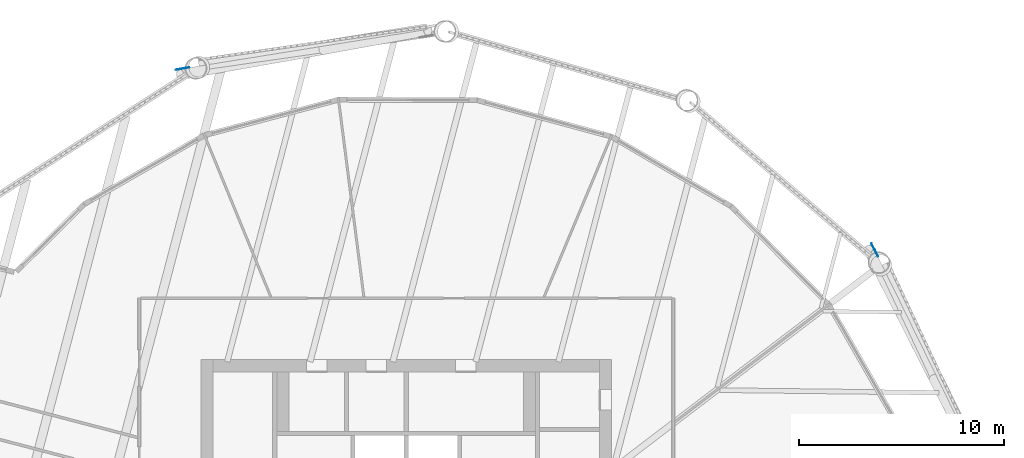
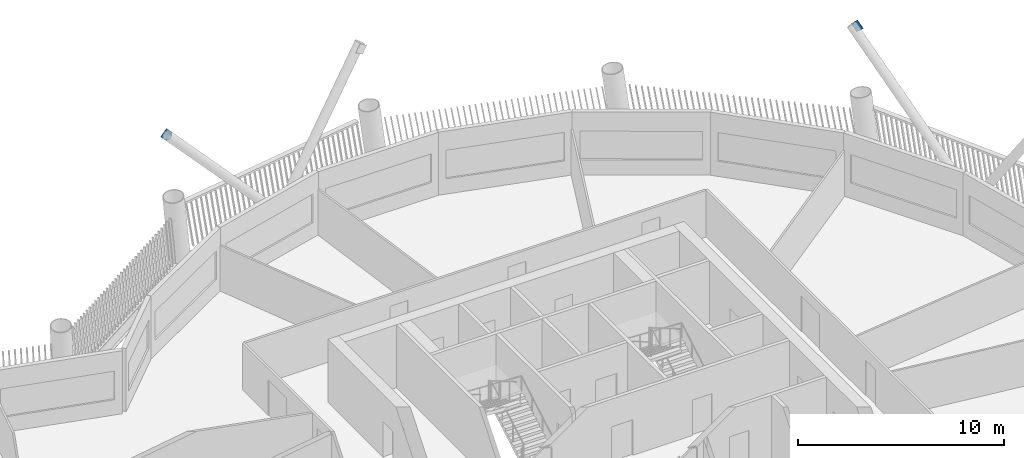
# One storey, part 9 of 21: 2 discrete accessories.
"""IFC4 building model written with IfcOpenShell, lengths in metres."""

from ifc_helpers import new_model, si_unit, direction, frame, origin, origin_2d, place, context, subcontext, project, spatial, rectangle, extrude, material, material_profile, profile_set, type_object, element, save


model = new_model("IFC4")

# Units and contexts
model_context = context("Model", 3, precision=1e-05, world=origin(), true_north=direction((0.0, 1.0)))
body_context = subcontext(model_context, "Body", "Model", "MODEL_VIEW")
ifc_project = project(units=[si_unit("LENGTHUNIT", "METRE"), si_unit("AREAUNIT", "SQUARE_METRE"), si_unit("VOLUMEUNIT", "CUBIC_METRE"), si_unit("PLANEANGLEUNIT", "RADIAN"), si_unit("MASSUNIT", "GRAM", prefix="KILO")], contexts=[model_context])

# Site, building, storey
site_placement = place(None, origin())
site = spatial("IfcSite", under=ifc_project, at=site_placement, CompositionType="ELEMENT")
building_placement = place(site_placement, origin())
building = spatial("IfcBuilding", under=site, at=building_placement, Name="Tarsis Ring Headquarters", CompositionType="ELEMENT")
storey_placement = place(building_placement, frame((0.0, 0.0, 223.800048828125)))
storey = spatial("IfcBuildingStorey", under=building, at=storey_placement, Name="L52", CompositionType="ELEMENT", Elevation=223.800048828125)

# Discrete accessories
ifc_material = material(Name="Structural steel S355", Category="steel")
ifc_material_profile = material_profile(ifc_material, rectangle(XDim=0.02490234375, YDim=0.5, at=origin_2d()), Name="PL 25x500")
ifc_profile_set = profile_set([ifc_material_profile], Name="Structural steel S355")
discrete_accessory_type = type_object("IfcDiscreteAccessoryType", Name="Gusset plate Exo brace 25", PredefinedType="BRACKET", material=ifc_profile_set)
for number, where, z_axis, x_axis, name in (
    (1, (22.73583984375, 18.495849609375, 7.800048828125), (0.304264876706, -0.598762020612, -0.740882532846), (0.891499628394, 0.453021426174, 0.0), "Gusset plate GP5"),
    (2, (-11.053466796875, 27.144775390625, 7.800048828125), (0.661648384936, 0.116215731081, -0.740753210294), (-0.172997418525, 0.984922277738, 0.0), "Gusset plate GP5"),
):
    element("IfcDiscreteAccessory", number, at=place(storey_placement, frame(where, z_axis=z_axis, x_axis=x_axis)), inside=storey, type_object=discrete_accessory_type, Name=name, PredefinedType="BRACKET", context=body_context, shape_type="SweptSolid", body=[
        extrude(rectangle(XDim=0.02490234375, YDim=0.5, at=origin_2d()), origin(), (0.0, 0.0, 1.0), 0.5),
    ])

save(model, "model.ifc")
